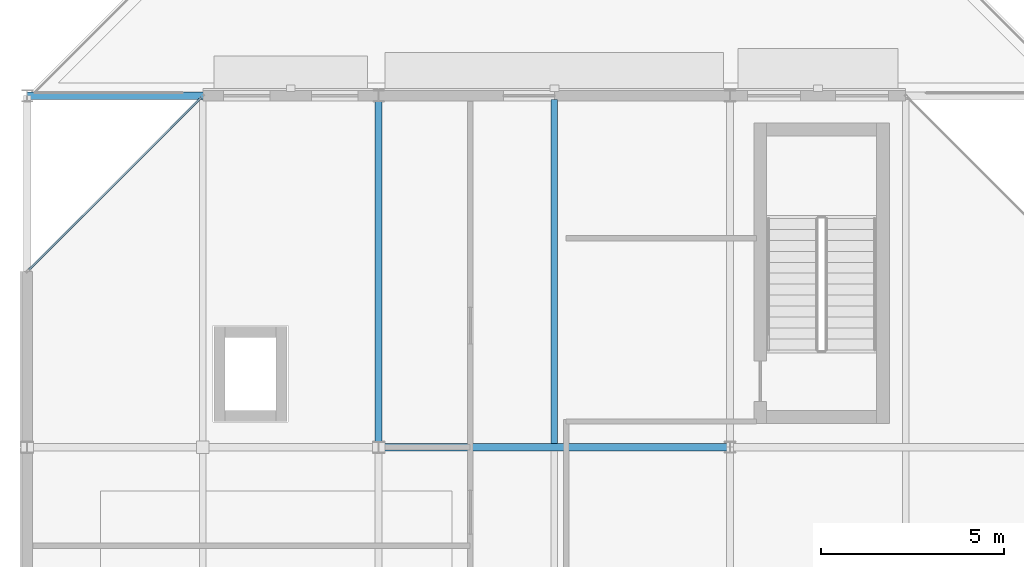
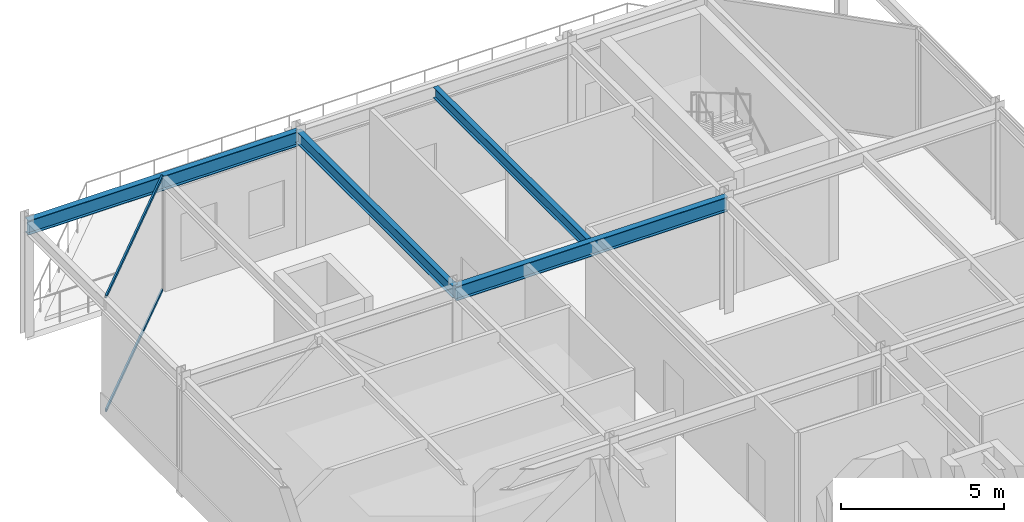
# One storey, part 14 of 50: 4 beams, 2 members, 1 element without a shape of its own.
"""IFC4 building model written with IfcOpenShell, lengths in metres."""

from ifc_helpers import new_model, si_unit, direction, frame, origin, origin_2d, place, context, subcontext, project, spatial, hollow_rectangle, i_section, extrude, material, material_profile, profile_set, type_object, element, aggregate, save


model = new_model("IFC4")

# Units and contexts
model_context = context("Model", 3, precision=1e-05, world=origin(), true_north=direction((0.0, 1.0)))
body_context = subcontext(model_context, "Body", "Model", "MODEL_VIEW")
ifc_project = project(units=[si_unit("LENGTHUNIT", "METRE"), si_unit("AREAUNIT", "SQUARE_METRE"), si_unit("VOLUMEUNIT", "CUBIC_METRE"), si_unit("PLANEANGLEUNIT", "RADIAN"), si_unit("MASSUNIT", "GRAM", prefix="KILO")], contexts=[model_context])

# Site, building, storey
site_placement = place(None, origin())
site = spatial("IfcSite", under=ifc_project, at=site_placement, CompositionType="ELEMENT")
building_placement = place(site_placement, origin())
building = spatial("IfcBuilding", under=site, at=building_placement, Name="Almandine Court Research Institute", CompositionType="ELEMENT")
storey_placement = place(building_placement, frame((0.0, 0.0, 23.449951171875)))
storey = spatial("IfcBuildingStorey", under=building, at=storey_placement, Name="L05", CompositionType="ELEMENT", Elevation=23.449951171875)

# Beams
ifc_material_1 = material(Name="Steel ASTM A992 Grade 50", Category="steel")
ifc_material_profile_1 = material_profile(ifc_material_1, i_section(OverallWidth=0.18994140625, OverallDepth=0.45703125, WebThickness=0.009033203125, FlangeThickness=0.014892578125, at=origin_2d()), Name="W460x74")
ifc_profile_set_1 = profile_set([ifc_material_profile_1], Name="Steel ASTM A992 Grade 50")
beam_type_1 = type_object("IfcBeamType", Name="Beam-B-01", PredefinedType="BEAM", material=ifc_profile_set_1)
beam_1_placement = place(storey_placement, frame((15.60009765625, 103.199951171875, 4.080078125), z_axis=(0.0, 1.0, 0.0), x_axis=(-1.0, 0.0, 0.0)))
element("IfcBeam", 1, at=beam_1_placement, inside=storey, type_object=beam_type_1, Name="L05 V3 Primary Y Girder", PredefinedType="BEAM", context=body_context, shape_type="SweptSolid", body=[
    extrude(i_section(OverallWidth=0.18994140625, OverallDepth=0.45703125, WebThickness=0.009033203125, FlangeThickness=0.014892578125, at=origin_2d()), origin(), (0.0, 0.0, 1.0), 9.60009765625),
])
ifc_material_profile_2 = material_profile(ifc_material_1, i_section(OverallWidth=0.178955078125, OverallDepth=0.409912109375, WebThickness=0.009033203125, FlangeThickness=0.013916015625, at=origin_2d()), Name="W410x67")
ifc_profile_set_2 = profile_set([ifc_material_profile_2], Name="Steel ASTM A992 Grade 50")
beam_type_2 = type_object("IfcBeamType", Name="Beam-B-02", PredefinedType="JOIST", material=ifc_profile_set_2)
beam_2_placement = place(storey_placement, frame((20.39990234375, 103.302978515625, 4.10302734375), z_axis=(0.0, 1.0, 0.0), x_axis=(-1.0, 0.0, 0.0)))
element("IfcBeam", 2, at=beam_2_placement, inside=storey, type_object=beam_type_2, Name="L05 V3 Composite Secondary Beam", PredefinedType="JOIST", context=body_context, shape_type="SweptSolid", body=[
    extrude(i_section(OverallWidth=0.178955078125, OverallDepth=0.409912109375, WebThickness=0.009033203125, FlangeThickness=0.013916015625, at=origin_2d()), origin(), (0.0, 0.0, 1.0), 9.39404296875),
])
ifc_material_profile_3 = material_profile(ifc_material_1, i_section(OverallWidth=0.2109375, OverallDepth=0.5390625, WebThickness=0.011962890625, FlangeThickness=0.01904296875, at=origin_2d()), Name="W530x109")
ifc_profile_set_3 = profile_set([ifc_material_profile_3], Name="Steel ASTM A992 Grade 50")
beam_type_3 = type_object("IfcBeamType", Name="Beam-G-04", PredefinedType="BEAM", material=ifc_profile_set_3)
beam_3_placement = place(storey_placement, frame((15.60009765625, 103.199951171875, 4.0390625), z_axis=(1.0, 0.0, 0.0), x_axis=(0.0, 1.0, 0.0)))
element("IfcBeam", 3, at=beam_3_placement, inside=storey, type_object=beam_type_3, Name="L05 V3 Primary X Girder", PredefinedType="BEAM", context=body_context, shape_type="SweptSolid", body=[
    extrude(i_section(OverallWidth=0.2109375, OverallDepth=0.5390625, WebThickness=0.011962890625, FlangeThickness=0.01904296875, at=origin_2d()), origin(), (0.0, 0.0, 1.0), 9.599853515625),
])
beam_4_placement = place(storey_placement, frame((6.0, 112.800048828125, 4.0390625), z_axis=(1.0, 0.0, 0.0), x_axis=(0.0, 1.0, 0.0)))
element("IfcBeam", 4, at=beam_4_placement, inside=storey, type_object=beam_type_3, Name="L05 V3 Primary X Girder", PredefinedType="BEAM", context=body_context, shape_type="SweptSolid", body=[
    extrude(i_section(OverallWidth=0.2109375, OverallDepth=0.5390625, WebThickness=0.011962890625, FlangeThickness=0.01904296875, at=origin_2d()), origin(), (0.0, 0.0, 1.0), 9.60009765625),
])

# Curtain wall, members
ifc_material_2 = material(Name="Unitised Curtain Wall Framing and Solar Glazing", Category="glass")
curtain_wall_type = type_object("IfcCurtainWallType", Name="CW-CWG-10", PredefinedType="USERDEFINED", material=ifc_material_2)
curtain_wall_placement = place(storey_placement, origin())
curtain_wall = element("IfcCurtainWall", 5, at=curtain_wall_placement, inside=storey, type_object=curtain_wall_type, Name="L05 Cleanroom NW Chamfer Glazing", ObjectType="UNITISED GLAZING", PredefinedType="USERDEFINED")
ifc_material_3 = material(Name="Anodised Aluminium AW-6063-T6", Category="aluminium")
ifc_material_profile_4 = material_profile(ifc_material_3, hollow_rectangle(XDim=0.06005859375, YDim=0.110107421875, WallThickness=0.00390625, at=origin_2d()), Name="ALU RHS 60x110x4")
ifc_profile_set_4 = profile_set([ifc_material_profile_4], Name="Anodised Aluminium AW-6063-T6")
member_type = type_object("IfcMemberType", Name="CWTrn-60x110", PredefinedType="NOTDEFINED", material=ifc_profile_set_4)
member_1_placement = place(storey_placement, frame((6.04638671875, 108.04638671875, 0.030029296875), z_axis=(0.707106781187, 0.707106781187, 0.0), x_axis=(-0.707106781187, 0.707106781187, 0.0)))
member_1 = element("IfcMember", 6, at=member_1_placement, type_object=member_type, Name="CWG-10 transom 1.1", ObjectType="TRANSOM", PredefinedType="USERDEFINED", context=body_context, shape_type="SweptSolid", body=[
    extrude(hollow_rectangle(XDim=0.06005859375, YDim=0.110107421875, WallThickness=0.00390625, at=origin_2d()), origin(), (0.0, 0.0, 1.0), 6.656982421875),
])
member_2_placement = place(storey_placement, frame((6.04638671875, 108.04638671875, 4.280029296875), z_axis=(0.707106781187, 0.707106781187, 0.0), x_axis=(-0.707106781187, 0.707106781187, 0.0)))
member_2 = element("IfcMember", 7, at=member_2_placement, type_object=member_type, Name="CWG-10 transom 1.2", ObjectType="TRANSOM", PredefinedType="USERDEFINED", context=body_context, shape_type="SweptSolid", body=[
    extrude(hollow_rectangle(XDim=0.06005859375, YDim=0.110107421875, WallThickness=0.00390625, at=origin_2d()), origin(), (0.0, 0.0, 1.0), 6.656982421875),
])
aggregate(curtain_wall, [member_1, member_2])

save(model, "model.ifc")
